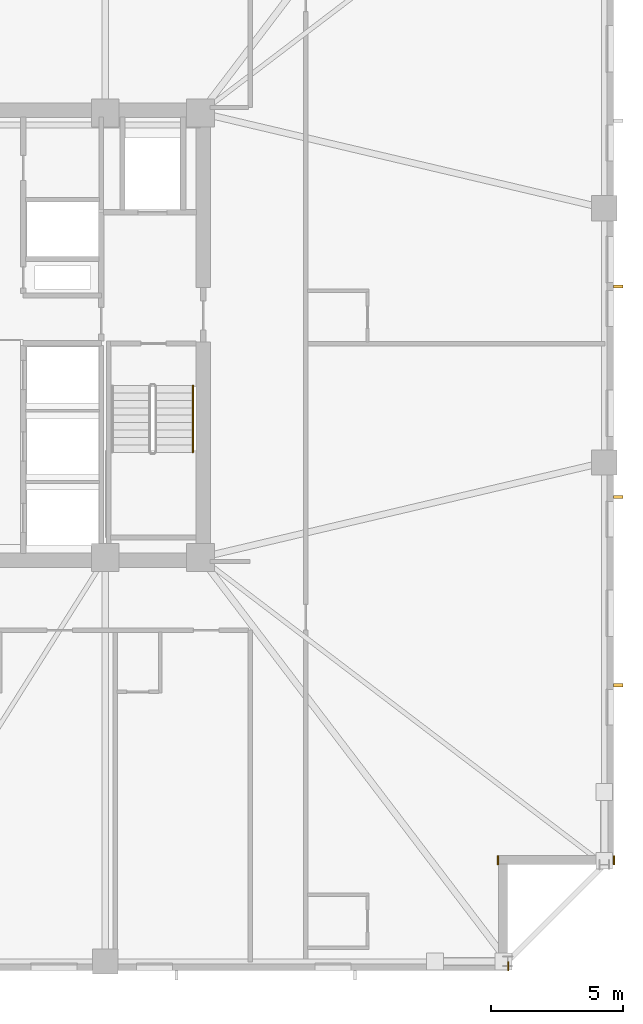
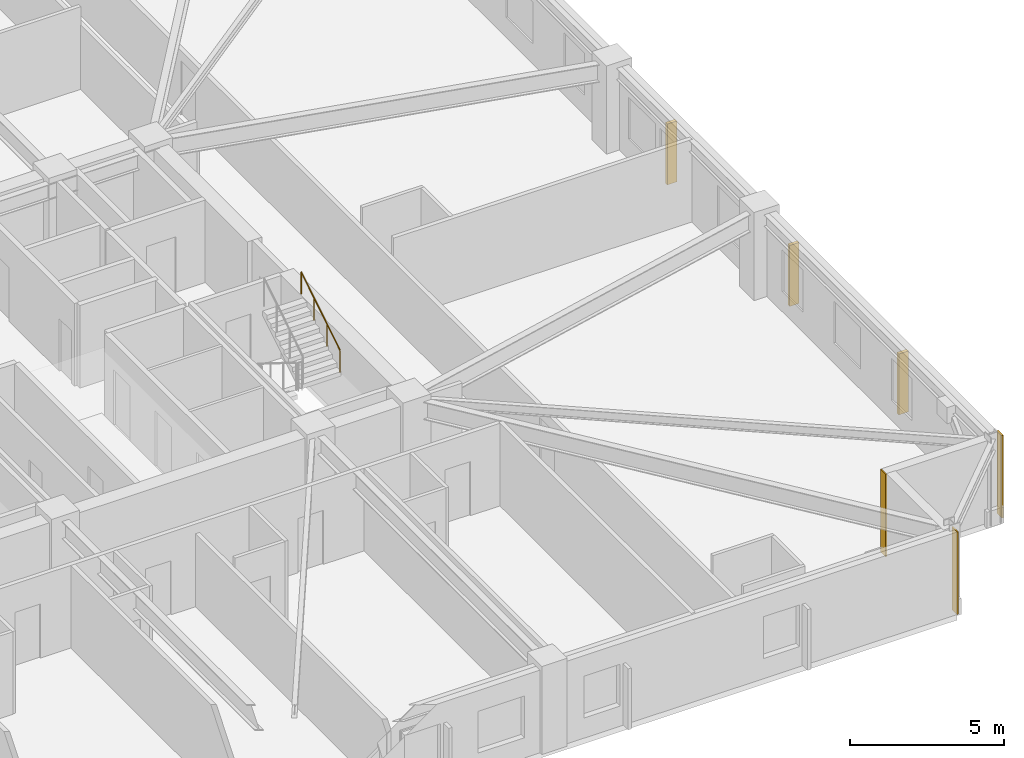
# One storey, part 9 of 11: 3 coverings, 3 shading devices, 1 railing.
"""IFC4 building model written with IfcOpenShell, lengths in metres."""

from ifc_helpers import new_model, si_unit, direction, frame, frame_2d, origin, origin_2d, place, context, subcontext, project, spatial, rectangle, circle, extrude, material, layer, layer_set, type_object, element, save


model = new_model("IFC4")

# Units and contexts
model_context = context("Model", 3, precision=1e-05, world=origin(), true_north=direction((0.0, 1.0)))
body_context = subcontext(model_context, "Body", "Model", "MODEL_VIEW")
ifc_project = project(units=[si_unit("LENGTHUNIT", "METRE"), si_unit("AREAUNIT", "SQUARE_METRE"), si_unit("VOLUMEUNIT", "CUBIC_METRE"), si_unit("PLANEANGLEUNIT", "RADIAN"), si_unit("MASSUNIT", "GRAM", prefix="KILO")], contexts=[model_context])

# Site, building, storey
site_placement = place(None, origin())
site = spatial("IfcSite", under=ifc_project, at=site_placement, CompositionType="ELEMENT")
building_placement = place(site_placement, origin())
building = spatial("IfcBuilding", under=site, at=building_placement, Name="Cairnveth Concourse Tower", CompositionType="ELEMENT")
storey_placement = place(building_placement, frame((0.0, 0.0, 141.0)))
storey = spatial("IfcBuildingStorey", under=building, at=storey_placement, Name="L38", CompositionType="ELEMENT", Elevation=141.0)

# Coverings
ifc_material_1 = material(Name="Dressed Melbourne Bluestone Cladding", Category="masonry")
ifc_layer = layer(ifc_material_1, 0.050048828125)
ifc_layer_set = layer_set([ifc_layer], Name="Dressed Melbourne Bluestone Cladding")
covering_type = type_object("IfcCoveringType", Name="DRESSED BLUESTONE PLINTH CLADDING 50", PredefinedType="CLADDING", material=ifc_layer_set)
for number, where, z_axis, x_axis, name in (
    (1, (76.02001953125, 19.340087890625, 0.0), (0.0, 0.0, 1.0), (0.0, -1.0, 0.0), "Melbourne Bluestone Corner Quoin L38-557"),
    (2, (71.639892578125, 19.340087890625, 0.0), (0.0, 0.0, 1.0), (0.0, -1.0, 0.0), "Melbourne Bluestone Corner Quoin L38-558"),
    (3, (72.02001953125, 15.340087890625, 0.0), (0.0, 0.0, 1.0), (0.0, -1.0, 0.0), "Melbourne Bluestone Corner Quoin L38-559"),
):
    element("IfcCovering", number, at=place(storey_placement, frame(where, z_axis=z_axis, x_axis=x_axis)), inside=storey, type_object=covering_type, Name=name, PredefinedType="CLADDING", context=body_context, shape_type="SweptSolid", body=[
        extrude(rectangle(XDim=0.340087890625, YDim=0.050048828125, at=frame_2d((0.169921875, 0.0))), origin(), (0.0, 0.0, 1.0), 3.280029296875),
    ])

# Shading devices
ifc_material_2 = material(Name="Architectural Bronze Anodised Aluminium 6063-T6", Category="aluminium")
shading_device_type = type_object("IfcShadingDeviceType", Name="GOTHIC BRONZE VERTICAL LANCET FIN", PredefinedType="USERDEFINED", material=ifc_material_2)
for number, where, z_axis, x_axis, name in (
    (4, (76.175048828125, 40.843994140625, 0.030029296875), (0.0, 0.0, 1.0), (0.0, 1.0, 0.0), "Gothic Bronze Vertical Fin L38-9-5"),
    (5, (76.175048828125, 32.886962890625, 0.030029296875), (0.0, 0.0, 1.0), (0.0, 1.0, 0.0), "Gothic Bronze Vertical Fin L38-9-7"),
    (6, (76.175048828125, 25.77978515625, 0.030029296875), (0.0, 0.0, 1.0), (0.0, 1.0, 0.0), "Gothic Bronze Vertical Fin L38-9-9"),
):
    element("IfcShadingDevice", number, at=place(storey_placement, frame(where, z_axis=z_axis, x_axis=x_axis)), inside=storey, type_object=shading_device_type, Name=name, ObjectType="VERTICAL FIN", PredefinedType="USERDEFINED", context=body_context, shape_type="SweptSolid", body=[
        extrude(rectangle(XDim=0.1201171875, YDim=0.360107421875, at=origin_2d()), origin(), (0.0, 0.0, 1.0), 2.419921875),
    ])

# Railing
ifc_material_3 = material(Name="Steel Grade 350", Category="steel")
railing_type = type_object("IfcRailingType", Name="STAIR WALL HANDRAIL 900", PredefinedType="HANDRAIL", material=ifc_material_3)
railing_placement = place(storey_placement, frame((60.110107421875, 34.580078125, 1.925048828125)))
element("IfcRailing", 7, at=railing_placement, inside=storey, type_object=railing_type, Name="L38 ST-2 stair handrail 2", PredefinedType="HANDRAIL", context=body_context, shape_type="SweptSolid", body=[
    extrude(circle(Radius=0.02392578125, at=origin_2d()), frame((0.0, 0.0, 0.8759765625), z_axis=(0.0, 0.848007534815, 0.529984170421), x_axis=(-1.0, 0.0, 0.0)), (0.0, 0.0, 1.0), 2.9716796875),
    extrude(circle(Radius=0.02099609375, at=origin_2d()), origin(), (0.0, 0.0, 1.0), 0.851806640625),
    extrude(circle(Radius=0.02099609375, at=origin_2d()), frame((0.0, 0.840087890625, 0.52490234375)), (0.0, 0.0, 1.0), 0.851806640625),
    extrude(circle(Radius=0.02099609375, at=origin_2d()), frame((0.0, 1.679931640625, 1.050048828125)), (0.0, 0.0, 1.0), 0.851806640625),
    extrude(circle(Radius=0.02099609375, at=origin_2d()), frame((0.0, 2.52001953125, 1.574951171875)), (0.0, 0.0, 1.0), 0.851806640625),
])

save(model, "model.ifc")
